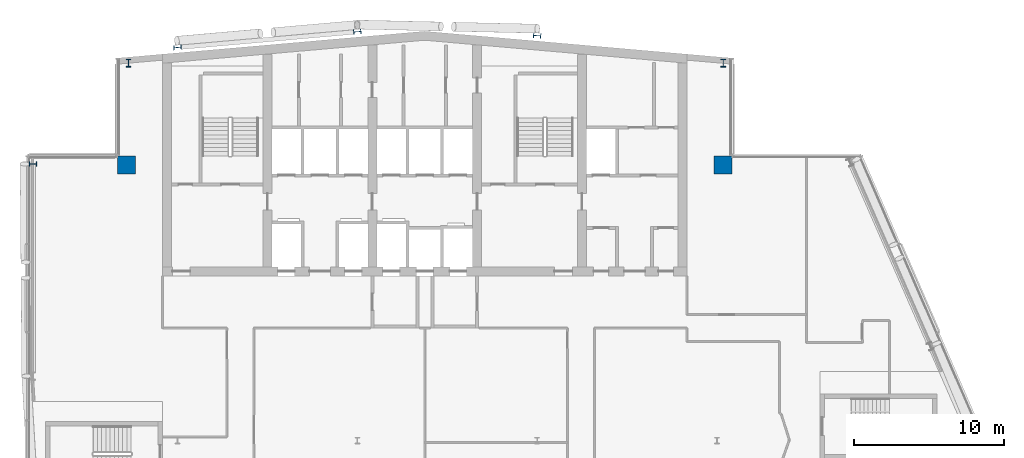
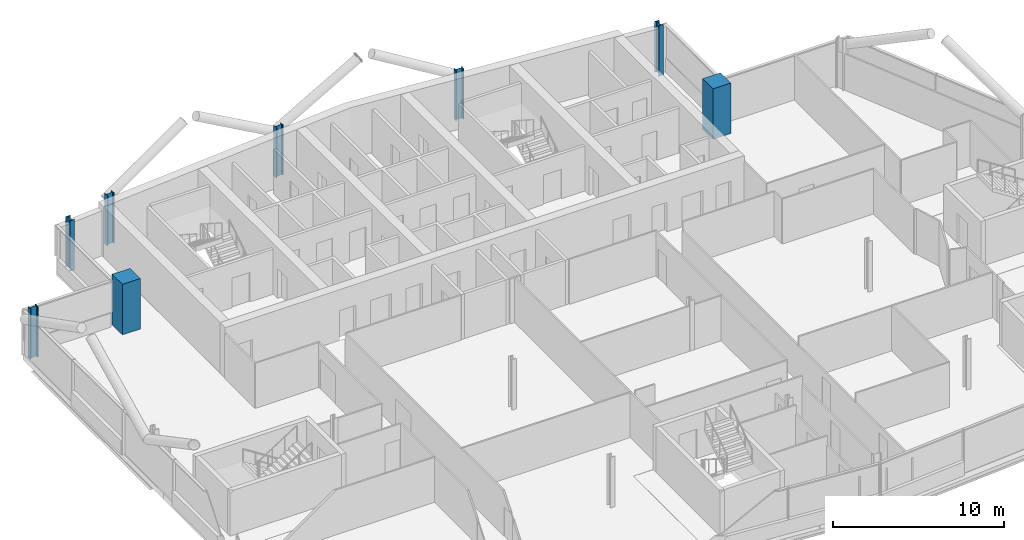
# One storey, part 3 of 28: 8 columns.
"""IFC4 building model written with IfcOpenShell, lengths in metres."""

from ifc_helpers import new_model, si_unit, direction, frame, origin, origin_2d, place, context, subcontext, project, spatial, rectangle, i_section, extrude, material, material_profile, profile_set, type_object, element, save


model = new_model("IFC4")

# Units and contexts
model_context = context("Model", 3, precision=1e-05, world=origin(), true_north=direction((0.0, 1.0)))
body_context = subcontext(model_context, "Body", "Model", "MODEL_VIEW")
ifc_project = project(units=[si_unit("LENGTHUNIT", "METRE"), si_unit("AREAUNIT", "SQUARE_METRE"), si_unit("VOLUMEUNIT", "CUBIC_METRE"), si_unit("PLANEANGLEUNIT", "RADIAN"), si_unit("MASSUNIT", "GRAM", prefix="KILO")], contexts=[model_context])

# Site, building, storey
site_placement = place(None, origin())
site = spatial("IfcSite", under=ifc_project, at=site_placement, CompositionType="ELEMENT")
building_placement = place(site_placement, origin())
building = spatial("IfcBuilding", under=site, at=building_placement, Name="Wharfspan Tower", CompositionType="ELEMENT")
storey_placement = place(building_placement, frame((0.0, 0.0, 250.300049)))
storey = spatial("IfcBuildingStorey", under=building, at=storey_placement, Name="L63", CompositionType="ELEMENT", Elevation=250.300049)

# Columns
ifc_material_1 = material(Name="Steel S355J2", Category="steel")
ifc_material_profile_1 = material_profile(ifc_material_1, i_section(OverallWidth=0.300049, OverallDepth=0.5, WebThickness=0.014404, FlangeThickness=0.028076, FilletRadius=0.0271, at=origin_2d()))
ifc_profile_set_1 = profile_set([ifc_material_profile_1], Name="Steel S355J2")
column_type_1 = type_object("IfcColumnType", Name="Column HEB 500", PredefinedType="COLUMN", material=ifc_profile_set_1)
for number, where, z_axis, x_axis, name in (
    (1, (24.0, 49.234863, 0.0), (0.0, 0.0, 1.0), (-0.087156, 0.996197, 0.0), "Rear column R.1 L63"),
    (2, (36.0, 50.284668, 0.0), (0.0, 0.0, 1.0), (-0.087156, 0.996197, 0.0), "Rear column R.2 L63"),
    (3, (48.0, 50.022217, 0.0), (0.0, 0.0, 1.0), (0.087156, 0.996197, 0.0), "Rear column R.3 L63"),
):
    element("IfcColumn", number, at=place(storey_placement, frame(where, z_axis=z_axis, x_axis=x_axis)), inside=storey, type_object=column_type_1, Name=name, PredefinedType="COLUMN", context=body_context, shape_type="SweptSolid", body=[
        extrude(i_section(OverallWidth=0.300049, OverallDepth=0.5, WebThickness=0.014404, FlangeThickness=0.028076, FilletRadius=0.0271, at=origin_2d()), origin(), (0.0, 0.0, 1.0), 3.599854),
    ])
ifc_material_profile_2 = material_profile(ifc_material_1, i_section(OverallWidth=0.305908, OverallDepth=0.523926, WebThickness=0.020996, FlangeThickness=0.040039, FilletRadius=0.0271, at=origin_2d()))
ifc_profile_set_2 = profile_set([ifc_material_profile_2], Name="Steel S355J2")
column_type_2 = type_object("IfcColumnType", Name="Column HEM 500", PredefinedType="COLUMN", material=ifc_profile_set_2)
for number, where, z_axis, x_axis, name in (
    (4, (60.422119, 48.189453, 0.0), (0.0, 0.0, 1.0), (1.0, 0.0, 0.0), "Perimeter column PNRE-V.1 L63"),
    (5, (20.731201, 48.189941, 0.0), (0.0, 0.0, 1.0), (-1.0, 0.0, 0.0), "Perimeter column PNRW-V.1 L63"),
    (6, (14.356934, 41.459717, 0.0), (0.0, 0.0, 1.0), (0.0, 1.0, 0.0), "Perimeter column PNRW-H.1 L63"),
):
    element("IfcColumn", number, at=place(storey_placement, frame(where, z_axis=z_axis, x_axis=x_axis)), inside=storey, type_object=column_type_2, Name=name, PredefinedType="COLUMN", context=body_context, shape_type="SweptSolid", body=[
        extrude(i_section(OverallWidth=0.305908, OverallDepth=0.523926, WebThickness=0.020996, FlangeThickness=0.040039, FilletRadius=0.0271, at=origin_2d()), origin(), (0.0, 0.0, 1.0), 3.599854),
    ])
ifc_material_2 = material(Name="Concrete C50/60", Category="concrete")
ifc_material_profile_3 = material_profile(ifc_material_2, rectangle(XDim=1.199951, YDim=1.199951, at=origin_2d()))
ifc_profile_set_3 = profile_set([ifc_material_profile_3], Name="Concrete C50/60")
column_type_3 = type_object("IfcColumnType", Name="Mega column 1200 C50/60", PredefinedType="COLUMN", material=ifc_profile_set_3)
for number, where, z_axis, x_axis, name in (
    (7, (20.600098, 41.399902, 0.0), (0.0, 0.0, 1.0), (1.0, 0.0, 0.0), "Mega column MC2 L63"),
    (8, (60.399902, 41.399902, 0.0), (0.0, 0.0, 1.0), (1.0, 0.0, 0.0), "Mega column MC3 L63"),
):
    element("IfcColumn", number, at=place(storey_placement, frame(where, z_axis=z_axis, x_axis=x_axis)), inside=storey, type_object=column_type_3, Name=name, PredefinedType="COLUMN", context=body_context, shape_type="SweptSolid", body=[
        extrude(rectangle(XDim=1.199951, YDim=1.199951, at=origin_2d()), origin(), (0.0, 0.0, 1.0), 3.599854),
    ])

save(model, "model.ifc")
